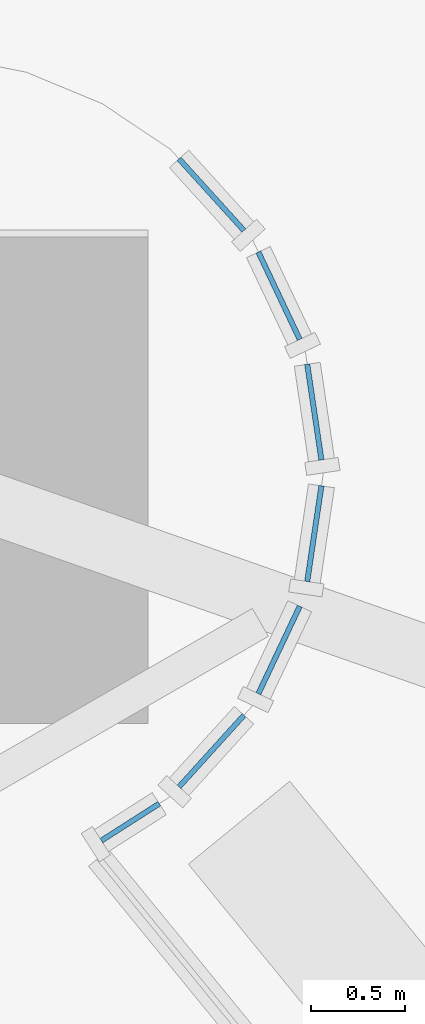
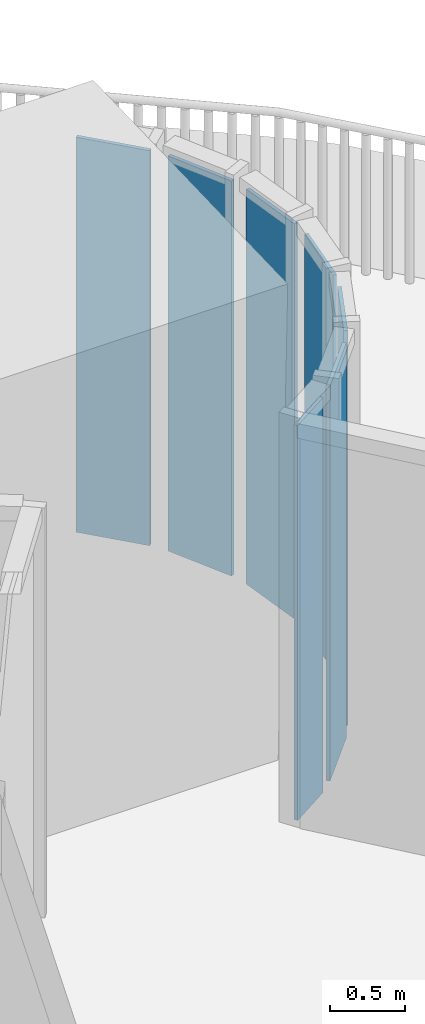
# One storey, part 13 of 22: 7 plates, 7 elements without a shape of their own.
"""IFC4 building model written with IfcOpenShell, lengths in metres."""

from ifc_helpers import new_model, si_unit, direction, frame, origin, origin_2d, place, context, subcontext, project, spatial, rectangle, extrude, material, layer, layer_set, type_object, element, aggregate, save


model = new_model("IFC4")

# Units and contexts
model_context = context("Model", 3, precision=1e-05, world=origin(), true_north=direction((0.0, 1.0)))
body_context = subcontext(model_context, "Body", "Model", "MODEL_VIEW")
ifc_project = project(units=[si_unit("LENGTHUNIT", "METRE"), si_unit("AREAUNIT", "SQUARE_METRE"), si_unit("VOLUMEUNIT", "CUBIC_METRE"), si_unit("PLANEANGLEUNIT", "RADIAN"), si_unit("MASSUNIT", "GRAM", prefix="KILO")], contexts=[model_context])

# Site, building, storey
site_placement = place(None, origin())
site = spatial("IfcSite", under=ifc_project, at=site_placement, CompositionType="ELEMENT")
building_placement = place(site_placement, origin())
building = spatial("IfcBuilding", under=site, at=building_placement, Name="Sierra Prisma Convention Tower", CompositionType="ELEMENT")
storey_placement = place(building_placement, frame((0.0, 0.0, 141.800048828125)))
storey = spatial("IfcBuildingStorey", under=building, at=storey_placement, Name="L30", CompositionType="ELEMENT", Elevation=141.800048828125)

# Curtain wall, plate
ifc_material_1 = material(Name="Aluminium and glass curtain wall", Category="aluminium")
ifc_layer_1 = layer(ifc_material_1, 0.179931640625)
ifc_layer_set_1 = layer_set([ifc_layer_1], Name="CW-6 Terrace recess curtain wall")
curtain_wall_type = type_object("IfcCurtainWallType", Name="CW-6 Terrace recess curtain wall", PredefinedType="NOTDEFINED", material=ifc_layer_set_1)
curtain_wall_1_placement = place(storey_placement, origin())
curtain_wall_1 = element("IfcCurtainWall", 1, at=curtain_wall_1_placement, inside=storey, type_object=curtain_wall_type, Name="CW-6 R11 L30", PredefinedType="NOTDEFINED")
ifc_material_2 = material(Name="Tinted glass bronze-grey IGU", Category="glass")
ifc_layer_2 = layer(ifc_material_2, 0.028076171875)
ifc_layer_set_2 = layer_set([ifc_layer_2], Name="CW-6 glass panel")
plate_type = type_object("IfcPlateType", Name="CW-6 glass panel", PredefinedType="CURTAIN_PANEL", material=ifc_layer_set_2)
plate_1_placement = place(storey_placement, frame((1.20654296875, 26.59130859375, 0.0), z_axis=(0.0, 0.0, 1.0), x_axis=(0.84239615328, 0.53885872076, 0.0)))
plate_1 = element("IfcPlate", 2, at=plate_1_placement, type_object=plate_type, Name="CW-6 panel R11.1", PredefinedType="CURTAIN_PANEL", context=body_context, shape_type="SweptSolid", body=[
    extrude(rectangle(XDim=0.3671875, YDim=0.028076171875, at=origin_2d()), origin(), (0.0, 0.0, 1.0), 3.219970703125),
])
aggregate(curtain_wall_1, [plate_1])

curtain_wall_2_placement = place(storey_placement, origin())
curtain_wall_2 = element("IfcCurtainWall", 3, at=curtain_wall_2_placement, inside=storey, type_object=curtain_wall_type, Name="CW-6 R12 L30", PredefinedType="NOTDEFINED")
plate_2_placement = place(storey_placement, frame((1.640625, 26.971435546875, 0.0), z_axis=(0.0, 0.0, 1.0), x_axis=(0.671558954847, 0.740951125355, 0.0)))
plate_2 = element("IfcPlate", 4, at=plate_2_placement, type_object=plate_type, Name="CW-6 panel R12.1", PredefinedType="CURTAIN_PANEL", context=body_context, shape_type="SweptSolid", body=[
    extrude(rectangle(XDim=0.516845703125, YDim=0.028076171875, at=origin_2d()), origin(), (0.0, 0.0, 1.0), 3.219970703125),
])
aggregate(curtain_wall_2, [plate_2])

curtain_wall_3_placement = place(storey_placement, origin())
curtain_wall_3 = element("IfcCurtainWall", 5, at=curtain_wall_3_placement, inside=storey, type_object=curtain_wall_type, Name="CW-6 R13 L30", PredefinedType="NOTDEFINED")
plate_3_placement = place(storey_placement, frame((2.001708984375, 27.51171875, 0.0), z_axis=(0.0, 0.0, 1.0), x_axis=(0.42755509343, 0.903989293123, 0.0)))
plate_3 = element("IfcPlate", 6, at=plate_3_placement, type_object=plate_type, Name="CW-6 panel R13.1", PredefinedType="CURTAIN_PANEL", context=body_context, shape_type="SweptSolid", body=[
    extrude(rectangle(XDim=0.516845703125, YDim=0.028076171875, at=origin_2d()), origin(), (0.0, 0.0, 1.0), 3.219970703125),
])
aggregate(curtain_wall_3, [plate_3])

curtain_wall_4_placement = place(storey_placement, origin())
curtain_wall_4 = element("IfcCurtainWall", 7, at=curtain_wall_4_placement, inside=storey, type_object=curtain_wall_type, Name="CW-6 R14 L30", PredefinedType="NOTDEFINED")
plate_4_placement = place(storey_placement, frame((2.190185546875, 28.133544921875, 0.0), z_axis=(0.0, 0.0, 1.0), x_axis=(0.146730474455, 0.989176509965, 0.0)))
plate_4 = element("IfcPlate", 8, at=plate_4_placement, type_object=plate_type, Name="CW-6 panel R14.1", PredefinedType="CURTAIN_PANEL", context=body_context, shape_type="SweptSolid", body=[
    extrude(rectangle(XDim=0.516845703125, YDim=0.028076171875, at=origin_2d()), origin(), (0.0, 0.0, 1.0), 3.219970703125),
])
aggregate(curtain_wall_4, [plate_4])

curtain_wall_5_placement = place(storey_placement, origin())
curtain_wall_5 = element("IfcCurtainWall", 9, at=curtain_wall_5_placement, inside=storey, type_object=curtain_wall_type, Name="CW-6 R15 L30", PredefinedType="NOTDEFINED")
plate_5_placement = place(storey_placement, frame((2.190185546875, 28.783203125, 0.0), z_axis=(0.0, 0.0, 1.0), x_axis=(-0.146730474455, 0.989176509965, 0.0)))
plate_5 = element("IfcPlate", 10, at=plate_5_placement, type_object=plate_type, Name="CW-6 panel R15.1", PredefinedType="CURTAIN_PANEL", context=body_context, shape_type="SweptSolid", body=[
    extrude(rectangle(XDim=0.516845703125, YDim=0.028076171875, at=origin_2d()), origin(), (0.0, 0.0, 1.0), 3.219970703125),
])
aggregate(curtain_wall_5, [plate_5])

curtain_wall_6_placement = place(storey_placement, origin())
curtain_wall_6 = element("IfcCurtainWall", 11, at=curtain_wall_6_placement, inside=storey, type_object=curtain_wall_type, Name="CW-6 R16 L30", PredefinedType="NOTDEFINED")
plate_6_placement = place(storey_placement, frame((2.001708984375, 29.405029296875, 0.0), z_axis=(0.0, 0.0, 1.0), x_axis=(-0.42755509343, 0.903989293123, 0.0)))
plate_6 = element("IfcPlate", 12, at=plate_6_placement, type_object=plate_type, Name="CW-6 panel R16.1", PredefinedType="CURTAIN_PANEL", context=body_context, shape_type="SweptSolid", body=[
    extrude(rectangle(XDim=0.516845703125, YDim=0.028076171875, at=origin_2d()), origin(), (0.0, 0.0, 1.0), 3.219970703125),
])
aggregate(curtain_wall_6, [plate_6])

curtain_wall_7_placement = place(storey_placement, origin())
curtain_wall_7 = element("IfcCurtainWall", 13, at=curtain_wall_7_placement, inside=storey, type_object=curtain_wall_type, Name="CW-6 R17 L30", PredefinedType="NOTDEFINED")
plate_7_placement = place(storey_placement, frame((1.640625, 29.9453125, 0.0), z_axis=(0.0, 0.0, 1.0), x_axis=(-0.671558954847, 0.740951125355, 0.0)))
plate_7 = element("IfcPlate", 14, at=plate_7_placement, type_object=plate_type, Name="CW-6 panel R17.1", PredefinedType="CURTAIN_PANEL", context=body_context, shape_type="SweptSolid", body=[
    extrude(rectangle(XDim=0.516845703125, YDim=0.028076171875, at=origin_2d()), origin(), (0.0, 0.0, 1.0), 3.219970703125),
])
aggregate(curtain_wall_7, [plate_7])

save(model, "model.ifc")
